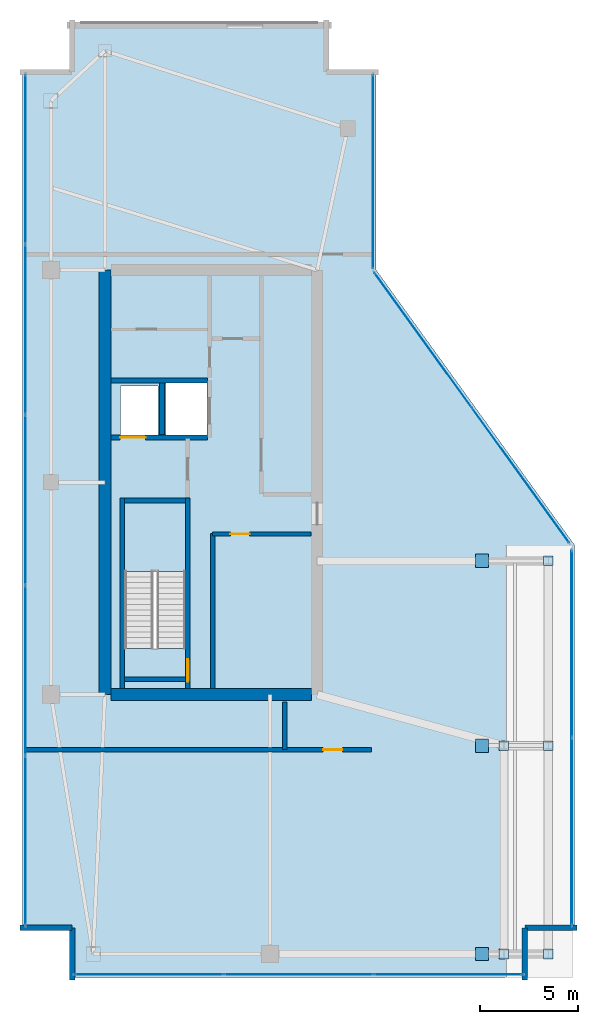
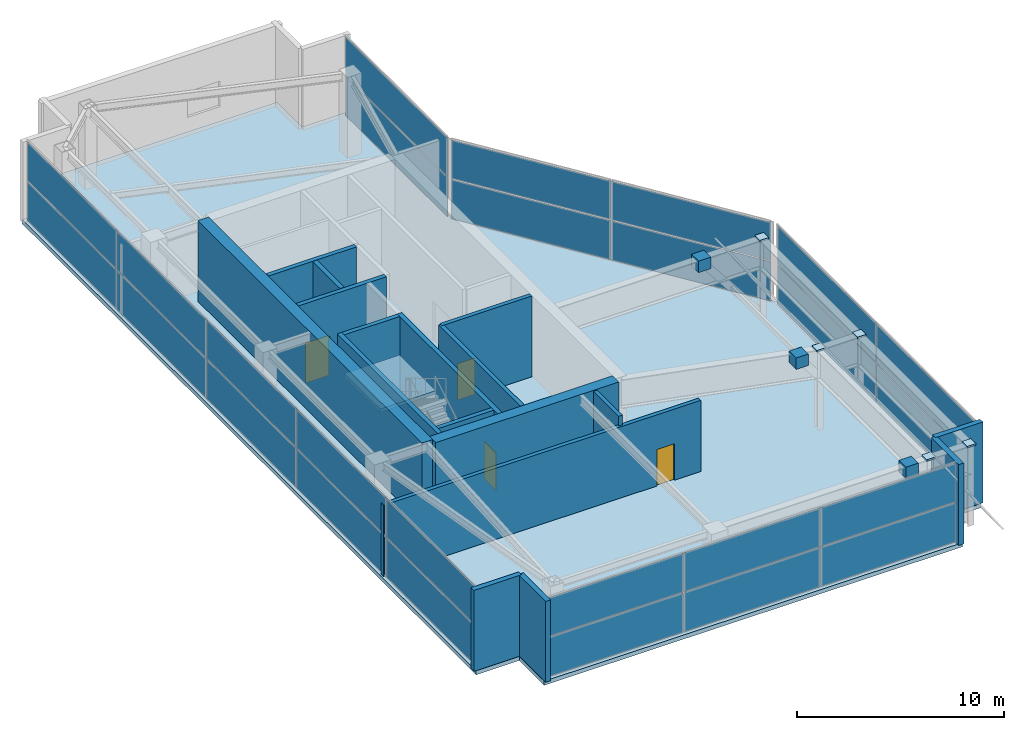
# One storey, part 18 of 21: 34 plates, 17 walls, 4 doors, 2 slabs, 4 openings, 6 elements without a shape of their own.
"""IFC4 building model written with IfcOpenShell, lengths in metres."""

from ifc_helpers import new_model, si_unit, direction, frame, frame_2d, origin, origin_2d, place, context, subcontext, project, spatial, polyline, rectangle, outline, extrude, material, layer, layer_set, type_object, element, fill, aggregate, save


model = new_model("IFC4")

# Units and contexts
model_context = context("Model", 3, precision=1e-05, world=origin(), true_north=direction((0.0, 1.0)))
body_context = subcontext(model_context, "Body", "Model", "MODEL_VIEW")
ifc_project = project(units=[si_unit("LENGTHUNIT", "METRE"), si_unit("AREAUNIT", "SQUARE_METRE"), si_unit("VOLUMEUNIT", "CUBIC_METRE"), si_unit("PLANEANGLEUNIT", "RADIAN"), si_unit("MASSUNIT", "GRAM", prefix="KILO")], contexts=[model_context])

# Site, building, storey
site_placement = place(None, origin())
site = spatial("IfcSite", under=ifc_project, at=site_placement, CompositionType="ELEMENT")
building_placement = place(site_placement, origin())
building = spatial("IfcBuilding", under=site, at=building_placement, Name="Calvorn Quay Hotel", CompositionType="ELEMENT")
storey_placement = place(building_placement, frame((0.0, 0.0, 330.5)))
storey = spatial("IfcBuildingStorey", under=building, at=storey_placement, Name="L81", CompositionType="ELEMENT", Elevation=330.5)

# Curtain wall, plates
ifc_material_1 = material(Name="Pale Anodised Aluminium and Laminated Glass", Category="aluminium")
ifc_layer_1 = layer(ifc_material_1, 0.219970703125)
ifc_layer_set_1 = layer_set([ifc_layer_1], Name="CW-SYS-CRN")
curtain_wall_type = type_object("IfcCurtainWallType", Name="CW-SYS-CRN", PredefinedType="NOTDEFINED", material=ifc_layer_set_1)
curtain_wall_1_placement = place(storey_placement, origin())
curtain_wall_1 = element("IfcCurtainWall", 1, at=curtain_wall_1_placement, inside=storey, type_object=curtain_wall_type, Name="Crown Curtain Wall L81-C1", PredefinedType="NOTDEFINED")
ifc_material_2 = material(Name="Low-E Laminated Double Glazing", Category="glass")
ifc_layer_2 = layer(ifc_material_2, 0.028076171875)
ifc_layer_set_2 = layer_set([ifc_layer_2], Name="CW-SYS-CRN-PAN")
plate_type_1 = type_object("IfcPlateType", Name="CW-SYS-CRN-PAN", PredefinedType="CURTAIN_PANEL", material=ifc_layer_set_2)
plate_1_placement = place(storey_placement, frame((6.445068359375, 2.550048828125, 0.06005859375), z_axis=(0.0, 0.0, 1.0), x_axis=(1.0, 0.0, 0.0)))
plate_1 = element("IfcPlate", 2, at=plate_1_placement, type_object=plate_type_1, Name="CW-L81-C1 panel 1.1", PredefinedType="CURTAIN_PANEL", context=body_context, shape_type="SweptSolid", body=[
    extrude(rectangle(XDim=7.530029296875, YDim=0.028076171875, at=origin_2d()), origin(), (0.0, 0.0, 1.0), 2.31005859375),
])
plate_2_placement = place(storey_placement, frame((6.445068359375, 2.550048828125, 2.429931640625), z_axis=(0.0, 0.0, 1.0), x_axis=(1.0, 0.0, 0.0)))
plate_2 = element("IfcPlate", 3, at=plate_2_placement, type_object=plate_type_1, Name="CW-L81-C1 panel 1.2", PredefinedType="CURTAIN_PANEL", context=body_context, shape_type="SweptSolid", body=[
    extrude(rectangle(XDim=7.530029296875, YDim=0.028076171875, at=origin_2d()), origin(), (0.0, 0.0, 1.0), 2.27001953125),
])
plate_3_placement = place(storey_placement, frame((14.050048828125, 2.550048828125, 0.06005859375), z_axis=(0.0, 0.0, 1.0), x_axis=(1.0, 0.0, 0.0)))
plate_3 = element("IfcPlate", 4, at=plate_3_placement, type_object=plate_type_1, Name="CW-L81-C1 panel 2.1", PredefinedType="CURTAIN_PANEL", context=body_context, shape_type="SweptSolid", body=[
    extrude(rectangle(XDim=7.56005859375, YDim=0.028076171875, at=origin_2d()), origin(), (0.0, 0.0, 1.0), 2.31005859375),
])
plate_4_placement = place(storey_placement, frame((14.050048828125, 2.550048828125, 2.429931640625), z_axis=(0.0, 0.0, 1.0), x_axis=(1.0, 0.0, 0.0)))
plate_4 = element("IfcPlate", 5, at=plate_4_placement, type_object=plate_type_1, Name="CW-L81-C1 panel 2.2", PredefinedType="CURTAIN_PANEL", context=body_context, shape_type="SweptSolid", body=[
    extrude(rectangle(XDim=7.56005859375, YDim=0.028076171875, at=origin_2d()), origin(), (0.0, 0.0, 1.0), 2.27001953125),
])
plate_5_placement = place(storey_placement, frame((21.655029296875, 2.550048828125, 0.06005859375), z_axis=(0.0, 0.0, 1.0), x_axis=(1.0, 0.0, 0.0)))
plate_5 = element("IfcPlate", 6, at=plate_5_placement, type_object=plate_type_1, Name="CW-L81-C1 panel 3.1", PredefinedType="CURTAIN_PANEL", context=body_context, shape_type="SweptSolid", body=[
    extrude(rectangle(XDim=7.530029296875, YDim=0.028076171875, at=origin_2d()), origin(), (0.0, 0.0, 1.0), 2.31005859375),
])
plate_6_placement = place(storey_placement, frame((21.655029296875, 2.550048828125, 2.429931640625), z_axis=(0.0, 0.0, 1.0), x_axis=(1.0, 0.0, 0.0)))
plate_6 = element("IfcPlate", 7, at=plate_6_placement, type_object=plate_type_1, Name="CW-L81-C1 panel 3.2", PredefinedType="CURTAIN_PANEL", context=body_context, shape_type="SweptSolid", body=[
    extrude(rectangle(XDim=7.530029296875, YDim=0.028076171875, at=origin_2d()), origin(), (0.0, 0.0, 1.0), 2.27001953125),
])
aggregate(curtain_wall_1, [plate_1, plate_2, plate_3, plate_4, plate_5, plate_6])

curtain_wall_2_placement = place(storey_placement, origin())
curtain_wall_2 = element("IfcCurtainWall", 8, at=curtain_wall_2_placement, inside=storey, type_object=curtain_wall_type, Name="Crown Curtain Wall L81-C2", PredefinedType="NOTDEFINED")
plate_7_placement = place(storey_placement, frame((27.949951171875, 9.824951171875, 0.06005859375), z_axis=(0.0, 0.0, 1.0), x_axis=(0.0, 1.0, 0.0)))
plate_7 = element("IfcPlate", 9, at=plate_7_placement, type_object=plate_type_1, Name="CW-L81-C2 panel 1.1", PredefinedType="CURTAIN_PANEL", context=body_context, shape_type="SweptSolid", body=[
    extrude(rectangle(XDim=9.489990234375, YDim=0.028076171875, at=origin_2d()), origin(), (0.0, 0.0, 1.0), 2.31005859375),
])
plate_8_placement = place(storey_placement, frame((27.949951171875, 9.824951171875, 2.429931640625), z_axis=(0.0, 0.0, 1.0), x_axis=(0.0, 1.0, 0.0)))
plate_8 = element("IfcPlate", 10, at=plate_8_placement, type_object=plate_type_1, Name="CW-L81-C2 panel 1.2", PredefinedType="CURTAIN_PANEL", context=body_context, shape_type="SweptSolid", body=[
    extrude(rectangle(XDim=9.489990234375, YDim=0.028076171875, at=origin_2d()), origin(), (0.0, 0.0, 1.0), 2.27001953125),
])
plate_9_placement = place(storey_placement, frame((27.949951171875, 19.375, 0.06005859375), z_axis=(0.0, 0.0, 1.0), x_axis=(0.0, 1.0, 0.0)))
plate_9 = element("IfcPlate", 11, at=plate_9_placement, type_object=plate_type_1, Name="CW-L81-C2 panel 2.1", PredefinedType="CURTAIN_PANEL", context=body_context, shape_type="SweptSolid", body=[
    extrude(rectangle(XDim=9.489990234375, YDim=0.028076171875, at=origin_2d()), origin(), (0.0, 0.0, 1.0), 2.31005859375),
])
plate_10_placement = place(storey_placement, frame((27.949951171875, 19.375, 2.429931640625), z_axis=(0.0, 0.0, 1.0), x_axis=(0.0, 1.0, 0.0)))
plate_10 = element("IfcPlate", 12, at=plate_10_placement, type_object=plate_type_1, Name="CW-L81-C2 panel 2.2", PredefinedType="CURTAIN_PANEL", context=body_context, shape_type="SweptSolid", body=[
    extrude(rectangle(XDim=9.489990234375, YDim=0.028076171875, at=origin_2d()), origin(), (0.0, 0.0, 1.0), 2.27001953125),
])
aggregate(curtain_wall_2, [plate_7, plate_8, plate_9, plate_10])

curtain_wall_3_placement = place(storey_placement, origin())
curtain_wall_3 = element("IfcCurtainWall", 13, at=curtain_wall_3_placement, inside=storey, type_object=curtain_wall_type, Name="Crown Curtain Wall L81-C3", PredefinedType="NOTDEFINED")
plate_11_placement = place(storey_placement, frame((25.3505859375, 27.95361328125, 0.06005859375), z_axis=(0.0, 0.0, 1.0), x_axis=(-0.585027182405, 0.81101368413, 0.0)))
plate_11 = element("IfcPlate", 14, at=plate_11_placement, type_object=plate_type_1, Name="CW-L81-C3 panel 1.1", PredefinedType="CURTAIN_PANEL", context=body_context, shape_type="SweptSolid", body=[
    extrude(rectangle(XDim=8.421630859375, YDim=0.028076171875, at=origin_2d()), origin(), (0.0, 0.0, 1.0), 2.31005859375),
])
plate_12_placement = place(storey_placement, frame((25.3505859375, 27.95361328125, 2.429931640625), z_axis=(0.0, 0.0, 1.0), x_axis=(-0.585027182405, 0.81101368413, 0.0)))
plate_12 = element("IfcPlate", 15, at=plate_12_placement, type_object=plate_type_1, Name="CW-L81-C3 panel 1.2", PredefinedType="CURTAIN_PANEL", context=body_context, shape_type="SweptSolid", body=[
    extrude(rectangle(XDim=8.421630859375, YDim=0.028076171875, at=origin_2d()), origin(), (0.0, 0.0, 1.0), 2.27001953125),
])
plate_13_placement = place(storey_placement, frame((20.388427734375, 34.832275390625, 0.06005859375), z_axis=(0.0, 0.0, 1.0), x_axis=(-0.585027182405, 0.81101368413, 0.0)))
plate_13 = element("IfcPlate", 16, at=plate_13_placement, type_object=plate_type_1, Name="CW-L81-C3 panel 2.1", PredefinedType="CURTAIN_PANEL", context=body_context, shape_type="SweptSolid", body=[
    extrude(rectangle(XDim=8.421630859375, YDim=0.028076171875, at=origin_2d()), origin(), (0.0, 0.0, 1.0), 2.31005859375),
])
plate_14_placement = place(storey_placement, frame((20.388427734375, 34.832275390625, 2.429931640625), z_axis=(0.0, 0.0, 1.0), x_axis=(-0.585027182405, 0.81101368413, 0.0)))
plate_14 = element("IfcPlate", 17, at=plate_14_placement, type_object=plate_type_1, Name="CW-L81-C3 panel 2.2", PredefinedType="CURTAIN_PANEL", context=body_context, shape_type="SweptSolid", body=[
    extrude(rectangle(XDim=8.421630859375, YDim=0.028076171875, at=origin_2d()), origin(), (0.0, 0.0, 1.0), 2.27001953125),
])
aggregate(curtain_wall_3, [plate_11, plate_12, plate_13, plate_14])

curtain_wall_4_placement = place(storey_placement, origin())
curtain_wall_4 = element("IfcCurtainWall", 18, at=curtain_wall_4_placement, inside=storey, type_object=curtain_wall_type, Name="Crown Curtain Wall L81-C4", PredefinedType="NOTDEFINED")
plate_15_placement = place(storey_placement, frame((17.85009765625, 43.39990234375, 0.06005859375), z_axis=(0.0, 0.0, 1.0), x_axis=(0.0, 1.0, 0.0)))
plate_15 = element("IfcPlate", 19, at=plate_15_placement, type_object=plate_type_1, Name="CW-L81-C4 panel 1.1", PredefinedType="CURTAIN_PANEL", context=body_context, shape_type="SweptSolid", body=[
    extrude(rectangle(XDim=9.840087890625, YDim=0.028076171875, at=origin_2d()), origin(), (0.0, 0.0, 1.0), 2.31005859375),
])
plate_16_placement = place(storey_placement, frame((17.85009765625, 43.39990234375, 2.429931640625), z_axis=(0.0, 0.0, 1.0), x_axis=(0.0, 1.0, 0.0)))
plate_16 = element("IfcPlate", 20, at=plate_16_placement, type_object=plate_type_1, Name="CW-L81-C4 panel 1.2", PredefinedType="CURTAIN_PANEL", context=body_context, shape_type="SweptSolid", body=[
    extrude(rectangle(XDim=9.840087890625, YDim=0.028076171875, at=origin_2d()), origin(), (0.0, 0.0, 1.0), 2.27001953125),
])
aggregate(curtain_wall_4, [plate_15, plate_16])

curtain_wall_5_placement = place(storey_placement, origin())
curtain_wall_5 = element("IfcCurtainWall", 21, at=curtain_wall_5_placement, inside=storey, type_object=curtain_wall_type, Name="Crown Curtain Wall L81-C5", PredefinedType="NOTDEFINED")
plate_17_placement = place(storey_placement, frame((0.14990234375, 44.029052734375, 0.06005859375), z_axis=(0.0, 0.0, 1.0), x_axis=(0.0, -1.0, 0.0)))
plate_17 = element("IfcPlate", 22, at=plate_17_placement, type_object=plate_type_1, Name="CW-L81-C5 panel 1.1", PredefinedType="CURTAIN_PANEL", context=body_context, shape_type="SweptSolid", body=[
    extrude(rectangle(XDim=8.58203125, YDim=0.028076171875, at=origin_2d()), origin(), (0.0, 0.0, 1.0), 2.31005859375),
])
plate_18_placement = place(storey_placement, frame((0.14990234375, 44.029052734375, 2.429931640625), z_axis=(0.0, 0.0, 1.0), x_axis=(0.0, -1.0, 0.0)))
plate_18 = element("IfcPlate", 23, at=plate_18_placement, type_object=plate_type_1, Name="CW-L81-C5 panel 1.2", PredefinedType="CURTAIN_PANEL", context=body_context, shape_type="SweptSolid", body=[
    extrude(rectangle(XDim=8.58203125, YDim=0.028076171875, at=origin_2d()), origin(), (0.0, 0.0, 1.0), 2.27001953125),
])
plate_19_placement = place(storey_placement, frame((0.14990234375, 35.3720703125, 0.06005859375), z_axis=(0.0, 0.0, 1.0), x_axis=(0.0, -1.0, 0.0)))
plate_19 = element("IfcPlate", 24, at=plate_19_placement, type_object=plate_type_1, Name="CW-L81-C5 panel 2.1", PredefinedType="CURTAIN_PANEL", context=body_context, shape_type="SweptSolid", body=[
    extrude(rectangle(XDim=8.612060546875, YDim=0.028076171875, at=origin_2d()), origin(), (0.0, 0.0, 1.0), 2.31005859375),
])
plate_20_placement = place(storey_placement, frame((0.14990234375, 35.3720703125, 2.429931640625), z_axis=(0.0, 0.0, 1.0), x_axis=(0.0, -1.0, 0.0)))
plate_20 = element("IfcPlate", 25, at=plate_20_placement, type_object=plate_type_1, Name="CW-L81-C5 panel 2.2", PredefinedType="CURTAIN_PANEL", context=body_context, shape_type="SweptSolid", body=[
    extrude(rectangle(XDim=8.612060546875, YDim=0.028076171875, at=origin_2d()), origin(), (0.0, 0.0, 1.0), 2.27001953125),
])
plate_21_placement = place(storey_placement, frame((0.14990234375, 26.699951171875, 0.06005859375), z_axis=(0.0, 0.0, 1.0), x_axis=(0.0, -1.0, 0.0)))
plate_21 = element("IfcPlate", 26, at=plate_21_placement, type_object=plate_type_1, Name="CW-L81-C5 panel 3.1", PredefinedType="CURTAIN_PANEL", context=body_context, shape_type="SweptSolid", body=[
    extrude(rectangle(XDim=8.612060546875, YDim=0.028076171875, at=origin_2d()), origin(), (0.0, 0.0, 1.0), 2.31005859375),
])
plate_22_placement = place(storey_placement, frame((0.14990234375, 26.699951171875, 2.429931640625), z_axis=(0.0, 0.0, 1.0), x_axis=(0.0, -1.0, 0.0)))
plate_22 = element("IfcPlate", 27, at=plate_22_placement, type_object=plate_type_1, Name="CW-L81-C5 panel 3.2", PredefinedType="CURTAIN_PANEL", context=body_context, shape_type="SweptSolid", body=[
    extrude(rectangle(XDim=8.612060546875, YDim=0.028076171875, at=origin_2d()), origin(), (0.0, 0.0, 1.0), 2.27001953125),
])
plate_23_placement = place(storey_placement, frame((0.14990234375, 18.028076171875, 0.06005859375), z_axis=(0.0, 0.0, 1.0), x_axis=(0.0, -1.0, 0.0)))
plate_23 = element("IfcPlate", 28, at=plate_23_placement, type_object=plate_type_1, Name="CW-L81-C5 panel 4.1", PredefinedType="CURTAIN_PANEL", context=body_context, shape_type="SweptSolid", body=[
    extrude(rectangle(XDim=8.612060546875, YDim=0.028076171875, at=origin_2d()), origin(), (0.0, 0.0, 1.0), 2.31005859375),
])
plate_24_placement = place(storey_placement, frame((0.14990234375, 18.028076171875, 2.429931640625), z_axis=(0.0, 0.0, 1.0), x_axis=(0.0, -1.0, 0.0)))
plate_24 = element("IfcPlate", 29, at=plate_24_placement, type_object=plate_type_1, Name="CW-L81-C5 panel 4.2", PredefinedType="CURTAIN_PANEL", context=body_context, shape_type="SweptSolid", body=[
    extrude(rectangle(XDim=8.612060546875, YDim=0.028076171875, at=origin_2d()), origin(), (0.0, 0.0, 1.0), 2.27001953125),
])
plate_25_placement = place(storey_placement, frame((0.14990234375, 9.37109375, 0.06005859375), z_axis=(0.0, 0.0, 1.0), x_axis=(0.0, -1.0, 0.0)))
plate_25 = element("IfcPlate", 30, at=plate_25_placement, type_object=plate_type_1, Name="CW-L81-C5 panel 5.1", PredefinedType="CURTAIN_PANEL", context=body_context, shape_type="SweptSolid", body=[
    extrude(rectangle(XDim=8.58203125, YDim=0.028076171875, at=origin_2d()), origin(), (0.0, 0.0, 1.0), 2.31005859375),
])
plate_26_placement = place(storey_placement, frame((0.14990234375, 9.37109375, 2.429931640625), z_axis=(0.0, 0.0, 1.0), x_axis=(0.0, -1.0, 0.0)))
plate_26 = element("IfcPlate", 31, at=plate_26_placement, type_object=plate_type_1, Name="CW-L81-C5 panel 5.2", PredefinedType="CURTAIN_PANEL", context=body_context, shape_type="SweptSolid", body=[
    extrude(rectangle(XDim=8.58203125, YDim=0.028076171875, at=origin_2d()), origin(), (0.0, 0.0, 1.0), 2.27001953125),
])
aggregate(curtain_wall_5, [plate_17, plate_18, plate_19, plate_20, plate_21, plate_22, plate_23, plate_24, plate_25, plate_26])

# Plates
ifc_material_3 = material(Name="Steel Q390GJC", Category="steel")
ifc_layer_3 = layer(ifc_material_3, 0.031982421875)
ifc_layer_set_3 = layer_set([ifc_layer_3], Name="PLT-SPLICE-32")
plate_type_2 = type_object("IfcPlateType", Name="PLT-SPLICE-32", PredefinedType="USERDEFINED", material=ifc_layer_set_3)
for number, where, z_axis, x_axis, name in (
    (32, (26.75, 3.60009765625, 4.699951171875), (0.0, 0.0, 1.0), (1.0, 0.0, 0.0), "Column Top Cap Plate C-CR1 (L81)"),
    (33, (26.75, 14.199951171875, 4.699951171875), (0.0, 0.0, 1.0), (1.0, 0.0, 0.0), "Column Top Cap Plate C-CR2 (L81)"),
    (34, (26.75, 23.60009765625, 4.699951171875), (0.0, 0.0, 1.0), (1.0, 0.0, 0.0), "Column Top Cap Plate C-CR3 (L81)"),
    (35, (24.5, 3.60009765625, 4.699951171875), (0.0, 0.0, 1.0), (1.0, 0.0, 0.0), "Column Top Cap Plate C-CRM1 (L81)"),
    (36, (24.5, 14.199951171875, 4.699951171875), (0.0, 0.0, 1.0), (1.0, 0.0, 0.0), "Column Top Cap Plate C-CRM2 (L81)"),
):
    element("IfcPlate", number, at=place(storey_placement, frame(where, z_axis=z_axis, x_axis=x_axis)), inside=storey, type_object=plate_type_2, Name=name, ObjectType="SPLICE_PLATE", PredefinedType="USERDEFINED", context=body_context, shape_type="SweptSolid", body=[
        extrude(rectangle(XDim=0.489990234375, YDim=0.489990234375, at=origin_2d()), origin(), (0.0, 0.0, 1.0), 0.10009765625),
    ])
for number, where, z_axis, x_axis, name in (
    (37, (23.383056640625, 3.60009765625, 4.169921875), (0.0, 0.0, 1.0), (1.0, 0.0, 0.0), "Raking Rafter End Cap Plate L81-1"),
    (38, (23.383056640625, 14.199951171875, 4.169921875), (0.0, 0.0, 1.0), (1.0, 0.0, 0.0), "Raking Rafter End Cap Plate L81-2"),
    (39, (23.383056640625, 23.60009765625, 4.169921875), (0.0, 0.0, 1.0), (1.0, 0.0, 0.0), "Raking Rafter End Cap Plate L81-3"),
):
    element("IfcPlate", number, at=place(storey_placement, frame(where, z_axis=z_axis, x_axis=x_axis)), inside=storey, type_object=plate_type_2, Name=name, ObjectType="SPLICE_PLATE", PredefinedType="USERDEFINED", context=body_context, shape_type="SweptSolid", body=[
        extrude(rectangle(XDim=0.679931640625, YDim=0.679931640625, at=origin_2d()), origin(), (0.0, 0.0, 1.0), 0.679931640625),
    ])

# Stair, slab
ifc_material_4 = material(Name="Concrete C40", Category="concrete")
stair_type = type_object("IfcStairType", Name="STR-CORE-DOGLEG", PredefinedType="HALF_TURN_STAIR", material=ifc_material_4)
stair_placement = place(storey_placement, origin())
stair = element("IfcStair", 40, at=stair_placement, inside=storey, type_object=stair_type, Name="L81 ST-W", PredefinedType="HALF_TURN_STAIR")
ifc_material_5 = material(Name="Concrete C40", Category="concrete")
ifc_layer_4 = layer(ifc_material_5, 0.199951171875)
ifc_layer_set_4 = layer_set([ifc_layer_4], Name="SLB-STAIR-LANDING-200")
slab_type_1 = type_object("IfcSlabType", Name="SLB-STAIR-LANDING-200", PredefinedType="LANDING", material=ifc_layer_set_4)
slab_1_placement = place(storey_placement, frame((0.0, 0.0, 2.300048828125)))
slab_1 = element("IfcSlab", 41, at=slab_1_placement, type_object=slab_type_1, Name="ST-W landing 1", PredefinedType="LANDING", context=body_context, shape_type="SweptSolid", body=[
    extrude(outline(polyline([(8.300048828125, 23.070068359375), (8.300048828125, 26.550048828125), (5.199951171875, 26.550048828125), (5.199951171875, 23.070068359375), (8.300048828125, 23.070068359375)])), origin(), (0.0, 0.0, 1.0), 0.199951171875),
])
aggregate(stair, [slab_1])

# Slab
ifc_material_6 = material(Name="Concrete C40", Category="concrete")
ifc_layer_5 = layer(ifc_material_6, 0.239990234375)
ifc_layer_set_5 = layer_set([ifc_layer_5], Name="SLB-TOWER-240")
slab_type_2 = type_object("IfcSlabType", Name="SLB-TOWER-240", PredefinedType="FLOOR", material=ifc_layer_set_5)
slab_2_placement = place(storey_placement, frame((0.0, 0.0, -0.239990234375)))
element("IfcSlab", 42, at=slab_2_placement, inside=storey, type_object=slab_type_2, Name="L81 Structural Floor Slab", PredefinedType="FLOOR", context=body_context, shape_type="SweptSolid", body=[
    extrude(outline(polyline([(0.0, 4.800048828125), (2.39990234375, 4.800048828125), (2.39990234375, 2.39990234375), (25.699951171875, 2.39990234375), (25.699951171875, 4.800048828125), (28.10009765625, 4.800048828125), (28.10009765625, 24.39990234375), (18.0, 38.39990234375), (18.0, 48.60009765625), (15.60009765625, 48.60009765625), (15.60009765625, 51.0), (2.39990234375, 51.0), (2.39990234375, 48.60009765625), (0.0, 48.60009765625), (0.0, 4.800048828125)]), holes=[polyline([(5.199951171875, 19.156005859375), (8.300048828125, 19.156005859375), (8.300048828125, 26.550048828125), (5.199951171875, 26.550048828125), (5.199951171875, 19.156005859375)]), polyline([(5.0, 30.0), (6.89990234375, 30.0), (6.89990234375, 32.5), (5.0, 32.5), (5.0, 30.0)]), polyline([(7.300048828125, 30.0), (9.39990234375, 30.0), (9.39990234375, 32.64990234375), (7.300048828125, 32.64990234375), (7.300048828125, 30.0)])]), origin(), (0.0, 0.0, 1.0), 0.239990234375),
])

# Walls
ifc_material_7 = material(Name="Concrete C45", Category="concrete")
ifc_layer_6 = layer(ifc_material_7, 0.60009765625)
ifc_layer_set_6 = layer_set([ifc_layer_6], Name="WL-CORE-600")
wall_type_1 = type_object("IfcWallType", Name="WL-CORE-600", PredefinedType="SHEAR", material=ifc_layer_set_6)
wall_1_placement = place(storey_placement, frame((4.199951171875, 16.800048828125, 0.0), z_axis=(0.0, 0.0, 1.0), x_axis=(0.0, 1.0, 0.0)))
element("IfcWall", 43, at=wall_1_placement, inside=storey, type_object=wall_type_1, Name="West Core Shear Wall W (L81)", PredefinedType="SHEAR", context=body_context, shape_type="SweptSolid", body=[
    extrude(rectangle(XDim=21.599853515625, YDim=0.60009765625, at=frame_2d((10.7998046875, 0.0))), origin(), (0.0, 0.0, 1.0), 4.760009765625),
])
wall_2_placement = place(storey_placement, frame((4.5, 16.800048828125, 0.0), z_axis=(0.0, 0.0, 1.0), x_axis=(1.0, 0.0, 0.0)))
element("IfcWall", 44, at=wall_2_placement, inside=storey, type_object=wall_type_1, Name="West Core Shear Wall S (L81)", PredefinedType="SHEAR", context=body_context, shape_type="SweptSolid", body=[
    extrude(rectangle(XDim=10.199951171875, YDim=0.60009765625, at=frame_2d((5.10009765625, 0.0))), origin(), (0.0, 0.0, 1.0), 4.760009765625),
])
ifc_material_8 = material(Name="Concrete C40", Category="concrete")
ifc_layer_7 = layer(ifc_material_8, 0.320068359375)
ifc_layer_set_7 = layer_set([ifc_layer_7], Name="WL-EXT-SPANDREL-320")
wall_type_2 = type_object("IfcWallType", Name="WL-EXT-SPANDREL-320", PredefinedType="SOLIDWALL", material=ifc_layer_set_7)
wall_3_placement = place(storey_placement, frame((-0.1201171875, 4.949951171875, 0.0), z_axis=(0.0, 0.0, 1.0), x_axis=(1.0, 0.0, 0.0)))
element("IfcWall", 45, at=wall_3_placement, inside=storey, type_object=wall_type_2, Name="Crown Notched Corner Spandrel L81-C1", PredefinedType="SOLIDWALL", context=body_context, shape_type="SweptSolid", body=[
    extrude(rectangle(XDim=2.64013671875, YDim=0.280029296875, at=frame_2d((1.320068359375, 0.0))), origin(), (0.0, 0.0, 1.0), 4.760009765625),
])
for number, where, z_axis, x_axis, name in (
    (46, (2.550048828125, 4.919921875, 0.0), (0.0, 0.0, 1.0), (0.0, -1.0, 0.0), "Crown Notched Corner Spandrel L81-C2"),
    (47, (25.550048828125, 2.280029296875, 0.0), (0.0, 0.0, 1.0), (0.0, 1.0, 0.0), "Crown Notched Corner Spandrel L81-C3"),
    (48, (25.580078125, 4.949951171875, 0.0), (0.0, 0.0, 1.0), (1.0, 0.0, 0.0), "Crown Notched Corner Spandrel L81-C4"),
):
    element("IfcWall", number, at=place(storey_placement, frame(where, z_axis=z_axis, x_axis=x_axis)), inside=storey, type_object=wall_type_2, Name=name, PredefinedType="SOLIDWALL", context=body_context, shape_type="SweptSolid", body=[
        extrude(rectangle(XDim=2.639892578125, YDim=0.280029296875, at=frame_2d((1.31982421875, 0.0))), origin(), (0.0, 0.0, 1.0), 4.760009765625),
    ])
ifc_material_9 = material(Name="Autoclaved Aerated Masonry Block", Category="masonry")
ifc_layer_8 = layer(ifc_material_9, 0.219970703125)
ifc_layer_set_8 = layer_set([ifc_layer_8], Name="WL-LOBBY-FIRE-220")
wall_type_3 = type_object("IfcWallType", Name="WL-LOBBY-FIRE-220", PredefinedType="SOLIDWALL", material=ifc_layer_set_8)
wall_4_placement = place(storey_placement, frame((9.679931640625, 17.1201171875, 0.0), z_axis=(0.0, 0.0, 1.0), x_axis=(0.0, 1.0, 0.0)))
element("IfcWall", 49, at=wall_4_placement, inside=storey, type_object=wall_type_3, Name="Partition Wall L81-WL-CWW-STW-HALL-E", PredefinedType="SOLIDWALL", context=body_context, shape_type="SweptSolid", body=[
    extrude(rectangle(XDim=7.8798828125, YDim=0.219970703125, at=frame_2d((3.93994140625, 0.0))), origin(), (0.0, 0.0, 1.0), 4.760009765625),
])

# Wall, opening, door
wall_5_placement = place(storey_placement, frame((9.679931640625, 24.969970703125, 0.0), z_axis=(0.0, 0.0, 1.0), x_axis=(1.0, 0.0, 0.0)))
wall_5 = element("IfcWall", 50, at=wall_5_placement, inside=storey, type_object=wall_type_3, Name="Partition Wall L81-WL-CWW-CRN-N", PredefinedType="SOLIDWALL", context=body_context, shape_type="SweptSolid", body=[
    extrude(rectangle(XDim=5.0, YDim=0.219970703125, at=frame_2d((2.5, 0.0))), origin(), (0.0, 0.0, 1.0), 4.760009765625),
])
opening_1_placement = place(wall_5_placement, frame((0.89990234375, 0.0, 0.0)))
opening_1 = element("IfcOpeningElement", 51, at=opening_1_placement, cuts=wall_5, Name="Opening D-L81-CCR", PredefinedType="OPENING", context=body_context, shape_type="SweptSolid", body=[
    extrude(rectangle(XDim=0.97998046875, YDim=2.14990234375, at=frame_2d((0.489990234375, 1.074951171875))), frame((0.0, 0.119873046875, 0.0), z_axis=(0.0, -1.0, 0.0), x_axis=(1.0, 0.0, 0.0)), (0.0, 0.0, 1.0), 0.239990234375),
])
ifc_material_10 = material(Name="Painted Steel Housekeeping/Riser Fire Door", Category="steel")
door_type_1 = type_object("IfcDoorType", Name="DR-SERVICE-980", OperationType="NOTDEFINED", PredefinedType="DOOR", material=ifc_material_10)
door_1_placement = place(opening_1_placement, origin())
door_1 = element("IfcDoor", 52, at=door_1_placement, inside=storey, type_object=door_type_1, Name="Crown Core Fan Door (L81)", OperationType="SINGLE_SWING_LEFT", OverallHeight=2.14990234375, OverallWidth=0.97998046875, PredefinedType="DOOR", context=body_context, shape_type="SweptSolid", body=[
    extrude(rectangle(XDim=0.97998046875, YDim=2.14990234375, at=frame_2d((0.489990234375, 1.074951171875))), frame((0.0, 0.02490234375, 0.0), z_axis=(0.0, -1.0, 0.0), x_axis=(1.0, 0.0, 0.0)), (0.0, 0.0, 1.0), 0.050048828125),
])
fill(opening_1, door_1)

# Wall
wall_6_placement = place(storey_placement, frame((13.35009765625, 14.0, 0.0), z_axis=(0.0, 0.0, 1.0), x_axis=(0.0, 1.0, 0.0)))
element("IfcWall", 53, at=wall_6_placement, inside=storey, type_object=wall_type_3, Name="Partition Wall L81-WL-CR-SV-W", PredefinedType="SOLIDWALL", context=body_context, shape_type="SweptSolid", body=[
    extrude(rectangle(XDim=2.419921875, YDim=0.219970703125, at=frame_2d((1.2099609375, 0.0))), origin(), (0.0, 0.0, 1.0), 4.760009765625),
])

# Wall, opening, door
wall_7_placement = place(storey_placement, frame((0.080078125, 14.0, 0.0), z_axis=(0.0, 0.0, 1.0), x_axis=(1.0, 0.0, 0.0)))
wall_7 = element("IfcWall", 54, at=wall_7_placement, inside=storey, type_object=wall_type_3, Name="Partition Wall L81-WL-CR-S", PredefinedType="SOLIDWALL", context=body_context, shape_type="SweptSolid", body=[
    extrude(rectangle(XDim=17.669921875, YDim=0.219970703125, at=frame_2d((8.8349609375, 0.0))), origin(), (0.0, 0.0, 1.0), 4.18994140625),
])
opening_2_placement = place(wall_7_placement, frame((15.219970703125, 0.0, 0.0)))
opening_2 = element("IfcOpeningElement", 55, at=opening_2_placement, cuts=wall_7, Name="Opening D-L81-C1", PredefinedType="OPENING", context=body_context, shape_type="SweptSolid", body=[
    extrude(rectangle(XDim=0.97998046875, YDim=2.14990234375, at=frame_2d((0.489990234375, 1.074951171875))), frame((0.0, 0.119873046875, 0.0), z_axis=(0.0, -1.0, 0.0), x_axis=(1.0, 0.0, 0.0)), (0.0, 0.0, 1.0), 0.239990234375),
])
door_2_placement = place(opening_2_placement, origin())
door_2 = element("IfcDoor", 56, at=door_2_placement, inside=storey, type_object=door_type_1, Name="Crown Exhaust Plant Door", OperationType="SINGLE_SWING_LEFT", OverallHeight=2.14990234375, OverallWidth=0.97998046875, PredefinedType="DOOR", context=body_context, shape_type="SweptSolid", body=[
    extrude(rectangle(XDim=0.97998046875, YDim=2.14990234375, at=frame_2d((0.489990234375, 1.074951171875))), frame((0.0, 0.02490234375, 0.0), z_axis=(0.0, -1.0, 0.0), x_axis=(1.0, 0.0, 0.0)), (0.0, 0.0, 1.0), 0.050048828125),
])
fill(opening_2, door_2)

# Wall
ifc_material_11 = material(Name="Concrete C40", Category="concrete")
ifc_layer_9 = layer(ifc_material_11, 0.239990234375)
ifc_layer_set_9 = layer_set([ifc_layer_9], Name="WL-SHAFT-240")
wall_type_4 = type_object("IfcWallType", Name="WL-SHAFT-240", PredefinedType="SOLIDWALL", material=ifc_layer_set_9)
wall_8_placement = place(storey_placement, frame((5.080078125, 17.10009765625, 0.0), z_axis=(0.0, 0.0, 1.0), x_axis=(0.0, 1.0, 0.0)))
element("IfcWall", 57, at=wall_8_placement, inside=storey, type_object=wall_type_4, Name="Stair STW Shaft Wall W (L81)", PredefinedType="SOLIDWALL", context=body_context, shape_type="SweptSolid", body=[
    extrude(rectangle(XDim=9.68994140625, YDim=0.239990234375, at=frame_2d((4.844970703125, 0.0))), origin(), (0.0, 0.0, 1.0), 4.760009765625),
])

# Wall, opening, door
wall_9_placement = place(storey_placement, frame((8.419921875, 17.10009765625, 0.0), z_axis=(0.0, 0.0, 1.0), x_axis=(0.0, 1.0, 0.0)))
wall_9 = element("IfcWall", 58, at=wall_9_placement, inside=storey, type_object=wall_type_4, Name="Stair STW Shaft Wall E (L81)", PredefinedType="SOLIDWALL", context=body_context, shape_type="SweptSolid", body=[
    extrude(rectangle(XDim=9.68994140625, YDim=0.239990234375, at=frame_2d((4.844970703125, 0.0))), origin(), (0.0, 0.0, 1.0), 4.760009765625),
])
opening_3_placement = place(wall_9_placement, frame((0.35009765625, 0.0, 0.0)))
opening_3 = element("IfcOpeningElement", 59, at=opening_3_placement, cuts=wall_9, Name="Opening D-L81-STW", PredefinedType="OPENING", context=body_context, shape_type="SweptSolid", body=[
    extrude(rectangle(XDim=1.14990234375, YDim=2.199951171875, at=frame_2d((0.574951171875, 1.10009765625))), frame((0.0, 0.1298828125, 0.0), z_axis=(0.0, -1.0, 0.0), x_axis=(1.0, 0.0, 0.0)), (0.0, 0.0, 1.0), 0.260009765625),
])
ifc_material_12 = material(Name="Galvanised Steel Class A Fire Door", Category="steel")
door_type_2 = type_object("IfcDoorType", Name="DR-STAIR-SMOKE-1150", OperationType="NOTDEFINED", PredefinedType="DOOR", material=ifc_material_12)
door_3_placement = place(opening_3_placement, origin())
door_3 = element("IfcDoor", 60, at=door_3_placement, inside=storey, type_object=door_type_2, Name="Stair ST-W Fire Door (L81)", OperationType="SINGLE_SWING_LEFT", OverallHeight=2.199951171875, OverallWidth=1.14990234375, PredefinedType="DOOR", context=body_context, shape_type="SweptSolid", body=[
    extrude(rectangle(XDim=1.14990234375, YDim=2.199951171875, at=frame_2d((0.574951171875, 1.10009765625))), frame((0.0, 0.02490234375, 0.0), z_axis=(0.0, -1.0, 0.0), x_axis=(1.0, 0.0, 0.0)), (0.0, 0.0, 1.0), 0.050048828125),
])
fill(opening_3, door_3)

# Walls
for number, where, z_axis, x_axis, name in (
    (61, (5.199951171875, 17.580078125, 0.0), (0.0, 0.0, 1.0), (1.0, 0.0, 0.0), "Stair STW Shaft Wall S (L81)"),
    (62, (5.199951171875, 26.669921875, 0.0), (0.0, 0.0, 1.0), (1.0, 0.0, 0.0), "Stair STW Shaft Wall N (L81)"),
):
    element("IfcWall", number, at=place(storey_placement, frame(where, z_axis=z_axis, x_axis=x_axis)), inside=storey, type_object=wall_type_4, Name=name, PredefinedType="SOLIDWALL", context=body_context, shape_type="SweptSolid", body=[
        extrude(rectangle(XDim=3.10009765625, YDim=0.239990234375, at=frame_2d((1.550048828125, 0.0))), origin(), (0.0, 0.0, 1.0), 4.760009765625),
    ])

# Wall, opening, door
wall_10_placement = place(storey_placement, frame((4.52001953125, 29.8798828125, 0.0), z_axis=(0.0, 0.0, 1.0), x_axis=(1.0, 0.0, 0.0)))
wall_10 = element("IfcWall", 63, at=wall_10_placement, inside=storey, type_object=wall_type_4, Name="Partition Wall L81-WL-CWW-FLW-S", PredefinedType="SOLIDWALL", context=body_context, shape_type="SweptSolid", body=[
    extrude(rectangle(XDim=4.89990234375, YDim=0.239990234375, at=frame_2d((2.449951171875, 0.0))), origin(), (0.0, 0.0, 1.0), 4.760009765625),
])
opening_4_placement = place(wall_10_placement, frame((0.449951171875, 0.0, 0.0)))
opening_4 = element("IfcOpeningElement", 64, at=opening_4_placement, cuts=wall_10, Name="Opening LD-L81-FLW1", PredefinedType="OPENING", context=body_context, shape_type="SweptSolid", body=[
    extrude(rectangle(XDim=1.300048828125, YDim=2.35009765625, at=frame_2d((0.64990234375, 1.175048828125))), frame((0.0, 0.1298828125, 0.0), z_axis=(0.0, -1.0, 0.0), x_axis=(1.0, 0.0, 0.0)), (0.0, 0.0, 1.0), 0.260009765625),
])
ifc_material_13 = material(Name="Champagne-Bronze Sliding Express Lift Landing Door")
door_type_3 = type_object("IfcDoorType", Name="DR-LIFT-SHUTTLE-1300", OperationType="NOTDEFINED", PredefinedType="DOOR", material=ifc_material_13)
door_4_placement = place(opening_4_placement, origin())
door_4 = element("IfcDoor", 65, at=door_4_placement, inside=storey, type_object=door_type_3, Name="Firefighting Lift FL-W1 Landing Door (L81)", OperationType="DOUBLE_DOOR_SLIDING", OverallHeight=2.35009765625, OverallWidth=1.300048828125, PredefinedType="DOOR", context=body_context, shape_type="SweptSolid", body=[
    extrude(rectangle(XDim=1.300048828125, YDim=2.35009765625, at=frame_2d((0.64990234375, 1.175048828125))), frame((0.0, 0.02490234375, 0.0), z_axis=(0.0, -1.0, 0.0), x_axis=(1.0, 0.0, 0.0)), (0.0, 0.0, 1.0), 0.050048828125),
])
fill(opening_4, door_4)

# Walls
wall_11_placement = place(storey_placement, frame((7.10009765625, 30.02001953125, 0.0), z_axis=(0.0, 0.0, 1.0), x_axis=(0.0, 1.0, 0.0)))
element("IfcWall", 66, at=wall_11_placement, inside=storey, type_object=wall_type_4, Name="Partition Wall L81-WL-CWW-FLW-DIV", PredefinedType="SOLIDWALL", context=body_context, shape_type="SweptSolid", body=[
    extrude(rectangle(XDim=2.6298828125, YDim=0.239990234375, at=frame_2d((1.31494140625, 0.0))), origin(), (0.0, 0.0, 1.0), 4.760009765625),
])
wall_12_placement = place(storey_placement, frame((4.52001953125, 32.780029296875, 0.0), z_axis=(0.0, 0.0, 1.0), x_axis=(1.0, 0.0, 0.0)))
element("IfcWall", 67, at=wall_12_placement, inside=storey, type_object=wall_type_4, Name="Partition Wall L81-WL-CWW-SLW-N", PredefinedType="SOLIDWALL", context=body_context, shape_type="SweptSolid", body=[
    extrude(rectangle(XDim=4.89990234375, YDim=0.239990234375, at=frame_2d((2.449951171875, 0.0))), origin(), (0.0, 0.0, 1.0), 4.760009765625),
])

save(model, "model.ifc")
